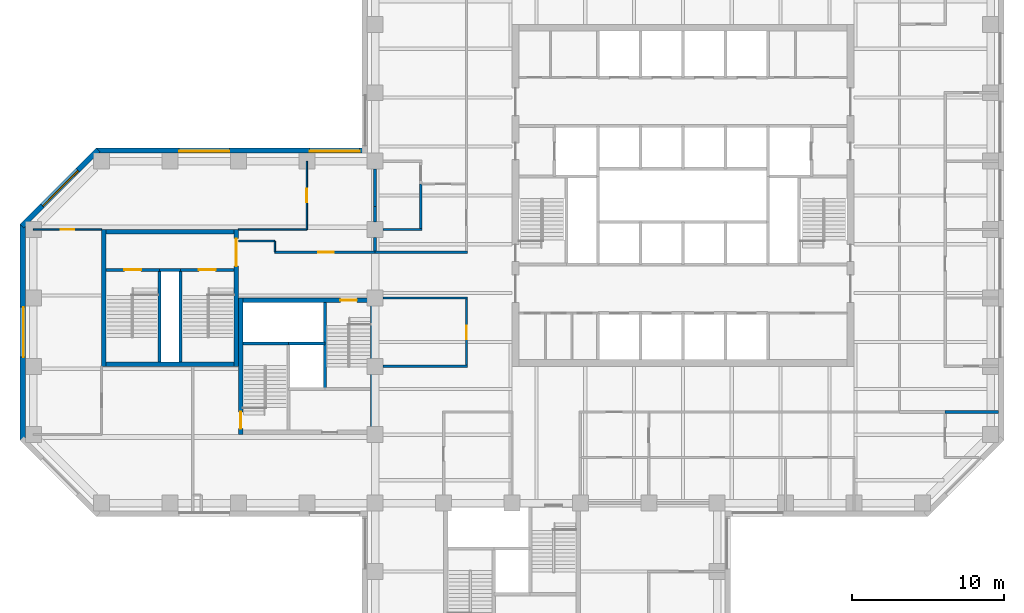
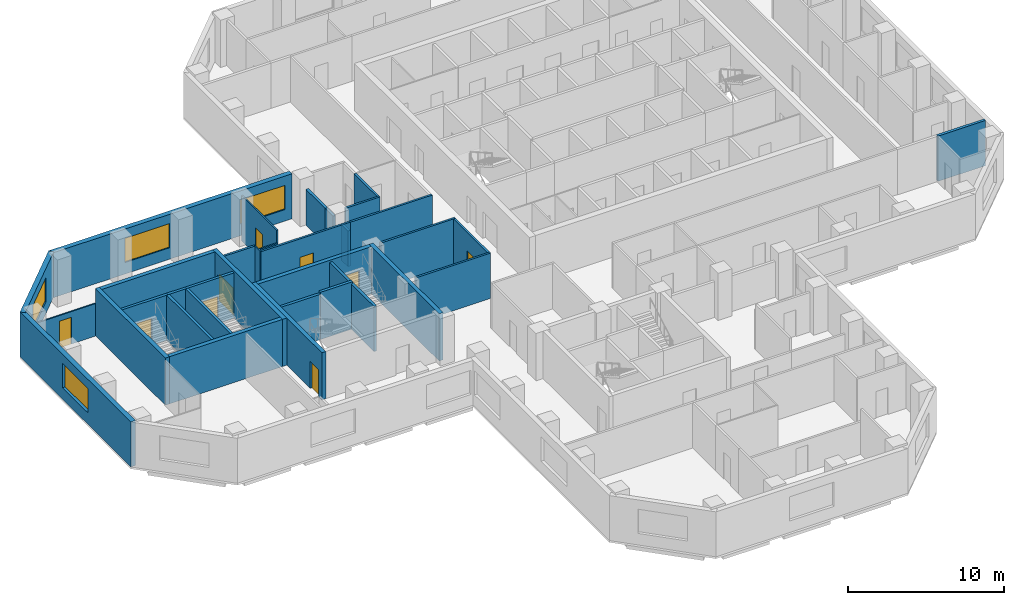
# One storey, part 5 of 11: 34 walls, 9 doors, 4 windows, 13 openings.
"""IFC4 building model written with IfcOpenShell, lengths in metres."""

from ifc_helpers import new_model, si_unit, direction, frame, frame_2d, origin, place, context, subcontext, project, spatial, rectangle, extrude, material, layer, layer_set, constituent, constituent_set, type_object, element, fill, save


model = new_model("IFC4")

# Units and contexts
model_context = context("Model", 3, precision=1e-05, world=origin(), true_north=direction((0.0, 1.0)))
body_context = subcontext(model_context, "Body", "Model", "MODEL_VIEW")
ifc_project = project(units=[si_unit("LENGTHUNIT", "METRE"), si_unit("AREAUNIT", "SQUARE_METRE"), si_unit("VOLUMEUNIT", "CUBIC_METRE"), si_unit("PLANEANGLEUNIT", "RADIAN"), si_unit("MASSUNIT", "GRAM", prefix="KILO")], contexts=[model_context])

# Site, building, storey
site_placement = place(None, origin())
site = spatial("IfcSite", under=ifc_project, at=site_placement, CompositionType="ELEMENT")
building_placement = place(site_placement, origin())
building = spatial("IfcBuilding", under=site, at=building_placement, Name="Quoin Convention Tower", CompositionType="ELEMENT")
storey_placement = place(building_placement, frame((0.0, 0.0, 104.800048828125)))
storey = spatial("IfcBuildingStorey", under=building, at=storey_placement, Name="L27", CompositionType="ELEMENT", Elevation=104.800048828125)

# Walls
ifc_material_1 = material(Name="Plasterboard")
ifc_layer_1 = layer(ifc_material_1, 0.012451171875, Name="Finish")
ifc_material_2 = material(Name="Steel stud framing", Category="steel")
ifc_layer_2 = layer(ifc_material_2, 0.125, Name="Structure")
ifc_layer_3 = layer(ifc_material_1, 0.012451171875, Name="Finish")
ifc_layer_set_1 = layer_set([ifc_layer_1, ifc_layer_2, ifc_layer_3], Name="Steel stud framing")
wall_type_1 = type_object("IfcWallType", Name="Acoustic partition 150", PredefinedType="PARTITIONING", material=ifc_layer_set_1)
wall_1_placement = place(storey_placement, frame((36.52490234375, 58.5, 0.0), z_axis=(0.0, 0.0, 1.0), x_axis=(1.0, 0.0, 0.0)))
element("IfcWall", 1, at=wall_1_placement, inside=storey, type_object=wall_type_1, Name="pw-L27-031", PredefinedType="PARTITIONING", context=body_context, shape_type="SweptSolid", body=[
    extrude(rectangle(XDim=2.550048828125, YDim=0.14990234375, at=frame_2d((1.27490234375, 0.0))), origin(), (0.0, 0.0, 1.0), 3.550048828125),
])
wall_2_placement = place(storey_placement, frame((39.0, 58.574951171875, 0.0), z_axis=(0.0, 0.0, 1.0), x_axis=(0.0, 1.0, 0.0)))
element("IfcWall", 2, at=wall_2_placement, inside=storey, type_object=wall_type_1, Name="pw-L27-077", PredefinedType="PARTITIONING", context=body_context, shape_type="SweptSolid", body=[
    extrude(rectangle(XDim=2.925048828125, YDim=0.14990234375, at=frame_2d((1.46240234375, 0.0))), origin(), (0.0, 0.0, 1.0), 3.550048828125),
])

# Wall, openings, windows
ifc_material_3 = material(Name="Brick masonry", Category="masonry")
ifc_layer_4 = layer(ifc_material_3, 0.35009765625)
ifc_layer_set_2 = layer_set([ifc_layer_4], Name="Brick masonry")
wall_type_2 = type_object("IfcWallType", Name="Brick facade wall", PredefinedType="STANDARD", material=ifc_layer_set_2)
wall_3_placement = place(storey_placement, frame((35.47509765625, 63.699951171875, 0.0), z_axis=(0.0, 0.0, 1.0), x_axis=(-1.0, 0.0, 0.0)))
wall_3 = element("IfcWall", 3, at=wall_3_placement, inside=storey, type_object=wall_type_2, Name="fw-L27-36000_63000", PredefinedType="STANDARD", context=body_context, shape_type="SweptSolid", body=[
    extrude(rectangle(XDim=17.83740234375, YDim=0.35009765625, at=frame_2d((8.918701171875, 0.0))), origin(), (0.0, 0.0, 1.0), 3.52490234375),
])
opening_1_placement = place(wall_3_placement, frame((0.5, 0.0, 0.89990234375)))
opening_1 = element("IfcOpeningElement", 4, at=opening_1_placement, cuts=wall_3, Name="Opening W-02", PredefinedType="OPENING", context=body_context, shape_type="SweptSolid", body=[
    extrude(rectangle(XDim=3.300048828125, YDim=1.89990234375, at=frame_2d((1.64990234375, 0.949951171875))), frame((0.0, 0.18505859375, 0.0), z_axis=(0.0, -1.0, 0.0), x_axis=(1.0, 0.0, 0.0)), (0.0, 0.0, 1.0), 0.3701171875),
])
opening_2_placement = place(wall_3_placement, frame((9.074951171875, 0.0, 0.89990234375)))
opening_2 = element("IfcOpeningElement", 5, at=opening_2_placement, cuts=wall_3, Name="Opening W-02", PredefinedType="OPENING", context=body_context, shape_type="SweptSolid", body=[
    extrude(rectangle(XDim=3.300048828125, YDim=1.89990234375, at=frame_2d((1.64990234375, 0.949951171875))), frame((0.0, 0.18505859375, 0.0), z_axis=(0.0, -1.0, 0.0), x_axis=(1.0, 0.0, 0.0)), (0.0, 0.0, 1.0), 0.3701171875),
])
ifc_material_4 = material(Name="Aluminium", Category="aluminium")
ifc_constituent_1 = constituent(ifc_material_4, Name="Frame")
ifc_material_5 = material(Name="Insulated glass", Category="glass")
ifc_constituent_2 = constituent(ifc_material_5, Name="Glazing")
ifc_constituent_set = constituent_set(constituents=[ifc_constituent_1, ifc_constituent_2], Name="Aluminium")
window_type = type_object("IfcWindowType", Name="Office window", PartitioningType="DOUBLE_PANEL_VERTICAL", PredefinedType="WINDOW", material=ifc_constituent_set)
window_1_placement = place(opening_1_placement, origin())
window_1 = element("IfcWindow", 6, at=window_1_placement, inside=storey, type_object=window_type, Name="win-L27-33750_63700", OverallHeight=1.89990234375, OverallWidth=3.300048828125, PartitioningType="SINGLE_PANEL", PredefinedType="WINDOW", context=body_context, shape_type="SweptSolid", body=[
    extrude(rectangle(XDim=3.300048828125, YDim=1.89990234375, at=frame_2d((1.64990234375, 0.949951171875))), frame((0.0, 0.0849609375, 0.0), z_axis=(0.0, -1.0, 0.0), x_axis=(1.0, 0.0, 0.0)), (0.0, 0.0, 1.0), 0.06005859375),
])
fill(opening_1, window_1)
window_2_placement = place(opening_2_placement, origin())
window_2 = element("IfcWindow", 7, at=window_2_placement, inside=storey, type_object=window_type, Name="win-L27-24750_63700", OverallHeight=1.89990234375, OverallWidth=3.300048828125, PartitioningType="SINGLE_PANEL", PredefinedType="WINDOW", context=body_context, shape_type="SweptSolid", body=[
    extrude(rectangle(XDim=3.300048828125, YDim=1.89990234375, at=frame_2d((1.64990234375, 0.949951171875))), frame((0.0, 0.0849609375, 0.0), z_axis=(0.0, -1.0, 0.0), x_axis=(1.0, 0.0, 0.0)), (0.0, 0.0, 1.0), 0.06005859375),
])
fill(opening_2, window_2)

# Wall, opening, window
wall_4_placement = place(storey_placement, frame((17.76123046875, 63.751220703125, 0.0), z_axis=(0.0, 0.0, 1.0), x_axis=(-0.707106781187, -0.707106781187, 0.0)))
wall_4 = element("IfcWall", 8, at=wall_4_placement, inside=storey, type_object=wall_type_2, Name="fw-L27-18000_63000", PredefinedType="STANDARD", context=body_context, shape_type="SweptSolid", body=[
    extrude(rectangle(XDim=7.088623046875, YDim=0.35009765625, at=frame_2d((3.54443359375, 0.0))), origin(), (0.0, 0.0, 1.0), 3.52490234375),
])
opening_3_placement = place(wall_4_placement, frame((1.894287109375, 0.0, 0.89990234375)))
opening_3 = element("IfcOpeningElement", 9, at=opening_3_placement, cuts=wall_4, Name="Opening W-02", PredefinedType="OPENING", context=body_context, shape_type="SweptSolid", body=[
    extrude(rectangle(XDim=3.300048828125, YDim=1.89990234375, at=frame_2d((1.64990234375, 0.949951171875))), frame((0.0, 0.18505859375, 0.0), z_axis=(0.0, -1.0, 0.0), x_axis=(1.0, 0.0, 0.0)), (0.0, 0.0, 1.0), 0.3701171875),
])
window_3_placement = place(opening_3_placement, origin())
window_3 = element("IfcWindow", 10, at=window_3_placement, inside=storey, type_object=window_type, Name="win-L27-15255_61245", OverallHeight=1.89990234375, OverallWidth=3.300048828125, PartitioningType="SINGLE_PANEL", PredefinedType="WINDOW", context=body_context, shape_type="SweptSolid", body=[
    extrude(rectangle(XDim=3.300048828125, YDim=1.89990234375, at=frame_2d((1.64990234375, 0.949951171875))), frame((0.0, 0.0849609375, 0.0), z_axis=(0.0, -1.0, 0.0), x_axis=(1.0, 0.0, 0.0)), (0.0, 0.0, 1.0), 0.06005859375),
])
fill(opening_3, window_3)

wall_5_placement = place(storey_placement, frame((12.800048828125, 58.8623046875, 0.0), z_axis=(0.0, 0.0, 1.0), x_axis=(0.0, -1.0, 0.0)))
wall_5 = element("IfcWall", 11, at=wall_5_placement, inside=storey, type_object=wall_type_2, Name="fw-L27-13500_58500", PredefinedType="STANDARD", context=body_context, shape_type="SweptSolid", body=[
    extrude(rectangle(XDim=14.224609375, YDim=0.35009765625, at=frame_2d((7.1123046875, 0.0))), origin(), (0.0, 0.0, 1.0), 3.52490234375),
])
opening_4_placement = place(wall_5_placement, frame((5.46240234375, 0.0, 0.89990234375)))
opening_4 = element("IfcOpeningElement", 12, at=opening_4_placement, cuts=wall_5, Name="Opening W-02", PredefinedType="OPENING", context=body_context, shape_type="SweptSolid", body=[
    extrude(rectangle(XDim=3.300048828125, YDim=1.89990234375, at=frame_2d((1.64990234375, 0.949951171875))), frame((0.0, 0.18505859375, 0.0), z_axis=(0.0, -1.0, 0.0), x_axis=(1.0, 0.0, 0.0)), (0.0, 0.0, 1.0), 0.3701171875),
])
window_4_placement = place(opening_4_placement, origin())
window_4 = element("IfcWindow", 13, at=window_4_placement, inside=storey, type_object=window_type, Name="win-L27-12800_51750", OverallHeight=1.89990234375, OverallWidth=3.300048828125, PartitioningType="SINGLE_PANEL", PredefinedType="WINDOW", context=body_context, shape_type="SweptSolid", body=[
    extrude(rectangle(XDim=3.300048828125, YDim=1.89990234375, at=frame_2d((1.64990234375, 0.949951171875))), frame((0.0, 0.0849609375, 0.0), z_axis=(0.0, -1.0, 0.0), x_axis=(1.0, 0.0, 0.0)), (0.0, 0.0, 1.0), 0.06005859375),
])
fill(opening_4, window_4)

# Walls
ifc_material_6 = material(Name="Concrete C50", Category="concrete")
ifc_layer_5 = layer(ifc_material_6, 0.199951171875)
ifc_layer_set_3 = layer_set([ifc_layer_5], Name="Concrete C50")
wall_type_3 = type_object("IfcWallType", Name="Core shaft wall", PredefinedType="SOLIDWALL", material=ifc_layer_set_3)
wall_6_placement = place(storey_placement, frame((27.300048828125, 51.0, 0.0), z_axis=(0.0, 0.0, 1.0), x_axis=(1.0, 0.0, 0.0)))
element("IfcWall", 14, at=wall_6_placement, inside=storey, type_object=wall_type_3, Name="cr-P2-L27-h6000_300", PredefinedType="SOLIDWALL", context=body_context, shape_type="SweptSolid", body=[
    extrude(rectangle(XDim=3.0, YDim=0.199951171875, at=frame_2d((1.5, 0.0))), origin(), (0.0, 0.0, 1.0), 3.550048828125),
])
wall_7_placement = place(storey_placement, frame((32.699951171875, 48.0, 0.0), z_axis=(0.0, 0.0, 1.0), x_axis=(0.0, 1.0, 0.0)))
element("IfcWall", 15, at=wall_7_placement, inside=storey, type_object=wall_type_3, Name="cr-P2-L27-v5700_3000", PredefinedType="SOLIDWALL", context=body_context, shape_type="SweptSolid", body=[
    extrude(rectangle(XDim=5.699951171875, YDim=0.199951171875, at=frame_2d((2.85009765625, 0.0))), origin(), (0.0, 0.0, 1.0), 3.550048828125),
])
wall_8_placement = place(storey_placement, frame((21.800048828125, 55.85009765625, 0.0), z_axis=(0.0, 0.0, 1.0), x_axis=(1.0, 0.0, 0.0)))
element("IfcWall", 16, at=wall_8_placement, inside=storey, type_object=wall_type_3, Name="cr-P6-L27-h6350_3800", PredefinedType="SOLIDWALL", context=body_context, shape_type="SweptSolid", body=[
    extrude(rectangle(XDim=1.39990234375, YDim=0.199951171875, at=frame_2d((0.699951171875, 0.0))), origin(), (0.0, 0.0, 1.0), 3.550048828125),
])

# Wall, opening, door
wall_9_placement = place(storey_placement, frame((18.300048828125, 55.85009765625, 0.0), z_axis=(0.0, 0.0, 1.0), x_axis=(1.0, 0.0, 0.0)))
wall_9 = element("IfcWall", 17, at=wall_9_placement, inside=storey, type_object=wall_type_3, Name="cr-P6-L27-h6350_300", PredefinedType="SOLIDWALL", context=body_context, shape_type="SweptSolid", body=[
    extrude(rectangle(XDim=3.5, YDim=0.199951171875, at=frame_2d((1.75, 0.0))), origin(), (0.0, 0.0, 1.0), 3.550048828125),
])
opening_5_placement = place(wall_9_placement, frame((1.199951171875, 0.0, 0.0)))
opening_5 = element("IfcOpeningElement", 18, at=opening_5_placement, cuts=wall_9, Name="Opening SD11", PredefinedType="OPENING", context=body_context, shape_type="SweptSolid", body=[
    extrude(rectangle(XDim=1.10009765625, YDim=2.10009765625, at=frame_2d((0.550048828125, 1.050048828125))), frame((0.0, 0.10986328125, 0.0), z_axis=(0.0, -1.0, 0.0), x_axis=(1.0, 0.0, 0.0)), (0.0, 0.0, 1.0), 0.219970703125),
])
ifc_material_7 = material(Name="Steel door leaf", Category="steel")
door_type_1 = type_object("IfcDoorType", Name="Stair door 1100 x 2100", OperationType="SINGLE_SWING_RIGHT", PredefinedType="DOOR", material=ifc_material_7)
door_1_placement = place(opening_5_placement, origin())
door_1 = element("IfcDoor", 19, at=door_1_placement, inside=storey, type_object=door_type_1, Name="cd-P6-L27-SA-R2-SD11", OperationType="SINGLE_SWING_RIGHT", OverallHeight=2.10009765625, OverallWidth=1.10009765625, PredefinedType="DOOR", context=body_context, shape_type="SweptSolid", body=[
    extrude(rectangle(XDim=1.10009765625, YDim=2.10009765625, at=frame_2d((0.550048828125, 1.050048828125))), frame((0.0, 0.02490234375, 0.0), z_axis=(0.0, -1.0, 0.0), x_axis=(1.0, 0.0, 0.0)), (0.0, 0.0, 1.0), 0.050048828125),
])
fill(opening_5, door_1)

wall_10_placement = place(storey_placement, frame((23.199951171875, 55.85009765625, 0.0), z_axis=(0.0, 0.0, 1.0), x_axis=(1.0, 0.0, 0.0)))
wall_10 = element("IfcWall", 20, at=wall_10_placement, inside=storey, type_object=wall_type_3, Name="cr-P6-L27-h6350_5200", PredefinedType="SOLIDWALL", context=body_context, shape_type="SweptSolid", body=[
    extrude(rectangle(XDim=3.5, YDim=0.199951171875, at=frame_2d((1.75, 0.0))), origin(), (0.0, 0.0, 1.0), 3.550048828125),
])
opening_6_placement = place(wall_10_placement, frame((1.199951171875, 0.0, 0.0)))
opening_6 = element("IfcOpeningElement", 21, at=opening_6_placement, cuts=wall_10, Name="Opening SD12", PredefinedType="OPENING", context=body_context, shape_type="SweptSolid", body=[
    extrude(rectangle(XDim=1.10009765625, YDim=2.10009765625, at=frame_2d((0.550048828125, 1.050048828125))), frame((0.0, 0.10986328125, 0.0), z_axis=(0.0, -1.0, 0.0), x_axis=(1.0, 0.0, 0.0)), (0.0, 0.0, 1.0), 0.219970703125),
])
door_2_placement = place(opening_6_placement, origin())
door_2 = element("IfcDoor", 22, at=door_2_placement, inside=storey, type_object=door_type_1, Name="cd-P6-L27-SB-R2-SD12", OperationType="SINGLE_SWING_RIGHT", OverallHeight=2.10009765625, OverallWidth=1.10009765625, PredefinedType="DOOR", context=body_context, shape_type="SweptSolid", body=[
    extrude(rectangle(XDim=1.10009765625, YDim=2.10009765625, at=frame_2d((0.550048828125, 1.050048828125))), frame((0.0, 0.02490234375, 0.0), z_axis=(0.0, -1.0, 0.0), x_axis=(1.0, 0.0, 0.0)), (0.0, 0.0, 1.0), 0.050048828125),
])
fill(opening_6, door_2)

# Walls
for number, where, z_axis, x_axis, name in (
    (23, (21.800048828125, 49.800048828125, 0.0), (0.0, 0.0, 1.0), (0.0, 1.0, 0.0), "cr-P6-L27-v3800_300"),
    (24, (23.199951171875, 49.800048828125, 0.0), (0.0, 0.0, 1.0), (0.0, 1.0, 0.0), "cr-P6-L27-v5200_300"),
):
    element("IfcWall", number, at=place(storey_placement, frame(where, z_axis=z_axis, x_axis=x_axis)), inside=storey, type_object=wall_type_3, Name=name, PredefinedType="SOLIDWALL", context=body_context, shape_type="SweptSolid", body=[
        extrude(rectangle(XDim=6.050048828125, YDim=0.199951171875, at=frame_2d((3.02490234375, 0.0))), origin(), (0.0, 0.0, 1.0), 3.550048828125),
    ])
ifc_layer_6 = layer(ifc_material_6, 0.199951171875)
ifc_layer_set_4 = layer_set([ifc_layer_6], Name="Concrete C50")
wall_type_4 = type_object("IfcWallType", Name="Core shaft wall to the floor level over", PredefinedType="SOLIDWALL", material=ifc_layer_set_4)
wall_11_placement = place(storey_placement, frame((30.300048828125, 51.0, 0.0), z_axis=(0.0, 0.0, 1.0), x_axis=(1.0, 0.0, 0.0)))
element("IfcWall", 25, at=wall_11_placement, inside=storey, type_object=wall_type_4, Name="cr-P2-L27-h6000_3300", PredefinedType="SOLIDWALL", context=body_context, shape_type="SweptSolid", body=[
    extrude(rectangle(XDim=2.39990234375, YDim=0.199951171875, at=frame_2d((1.199951171875, 0.0))), origin(), (0.0, 0.0, 1.0), 3.699951171875),
])
ifc_layer_7 = layer(ifc_material_1, 0.012451171875, Name="Finish")
ifc_layer_8 = layer(ifc_material_2, 0.125, Name="Structure")
ifc_layer_9 = layer(ifc_material_1, 0.012451171875, Name="Finish")
ifc_layer_set_5 = layer_set([ifc_layer_7, ifc_layer_8, ifc_layer_9], Name="Steel stud framing")
wall_type_5 = type_object("IfcWallType", Name="Corridor wall 150", PredefinedType="PARTITIONING", material=ifc_layer_set_5)
for number, where, z_axis, x_axis, name in (
    (26, (36.52490234375, 49.5, 0.0), (0.0, 0.0, 1.0), (1.0, 0.0, 0.0), "pw-L27-024"),
    (27, (36.52490234375, 54.0, 0.0), (0.0, 0.0, 1.0), (1.0, 0.0, 0.0), "pw-L27-027"),
):
    element("IfcWall", number, at=place(storey_placement, frame(where, z_axis=z_axis, x_axis=x_axis)), inside=storey, type_object=wall_type_5, Name=name, PredefinedType="PARTITIONING", context=body_context, shape_type="SweptSolid", body=[
        extrude(rectangle(XDim=5.550048828125, YDim=0.14990234375, at=frame_2d((2.77490234375, 0.0))), origin(), (0.0, 0.0, 1.0), 3.550048828125),
    ])

# Wall, opening, door
wall_12_placement = place(storey_placement, frame((29.3798828125, 57.0, 0.0), z_axis=(0.0, 0.0, 1.0), x_axis=(1.0, 0.0, 0.0)))
wall_12 = element("IfcWall", 28, at=wall_12_placement, inside=storey, type_object=wall_type_5, Name="pw-L27-029", PredefinedType="PARTITIONING", context=body_context, shape_type="SweptSolid", body=[
    extrude(rectangle(XDim=6.6201171875, YDim=0.14990234375, at=frame_2d((3.31005859375, 0.0))), origin(), (0.0, 0.0, 1.0), 3.550048828125),
])
opening_7_placement = place(wall_12_placement, frame((2.8798828125, 0.0, 0.0)))
opening_7 = element("IfcOpeningElement", 29, at=opening_7_placement, cuts=wall_12, Name="Opening DOL4-11", PredefinedType="OPENING", context=body_context, shape_type="SweptSolid", body=[
    extrude(rectangle(XDim=1.0, YDim=2.10009765625, at=frame_2d((0.5, 1.050048828125))), frame((0.0, 0.0849609375, 0.0), z_axis=(0.0, -1.0, 0.0), x_axis=(1.0, 0.0, 0.0)), (0.0, 0.0, 1.0), 0.169921875),
])
door_type_2 = type_object("IfcDoorType", Name="Tenancy entrance door 1000 x 2100", OperationType="DOUBLE_DOOR_SINGLE_SWING", PredefinedType="DOOR", material=ifc_material_7)
door_3_placement = place(opening_7_placement, origin())
door_3 = element("IfcDoor", 30, at=door_3_placement, inside=storey, type_object=door_type_2, Name="dr-L27-w01", OperationType="DOUBLE_DOOR_SINGLE_SWING", OverallHeight=2.10009765625, OverallWidth=1.0, PredefinedType="DOOR", context=body_context, shape_type="SweptSolid", body=[
    extrude(rectangle(XDim=1.0, YDim=2.10009765625, at=frame_2d((0.5, 1.050048828125))), frame((0.0, 0.02490234375, 0.0), z_axis=(0.0, -1.0, 0.0), x_axis=(1.0, 0.0, 0.0)), (0.0, 0.0, 1.0), 0.050048828125),
])
fill(opening_7, door_3)

# Wall
wall_13_placement = place(storey_placement, frame((36.0, 57.0, 0.0), z_axis=(0.0, 0.0, 1.0), x_axis=(1.0, 0.0, 0.0)))
element("IfcWall", 31, at=wall_13_placement, inside=storey, type_object=wall_type_5, Name="pw-L27-030", PredefinedType="PARTITIONING", context=body_context, shape_type="SweptSolid", body=[
    extrude(rectangle(XDim=6.074951171875, YDim=0.14990234375, at=frame_2d((3.03759765625, 0.0))), origin(), (0.0, 0.0, 1.0), 3.550048828125),
])

# Wall, opening, door
wall_14_placement = place(storey_placement, frame((42.0, 49.574951171875, 0.0), z_axis=(0.0, 0.0, 1.0), x_axis=(0.0, 1.0, 0.0)))
wall_14 = element("IfcWall", 32, at=wall_14_placement, inside=storey, type_object=wall_type_5, Name="pw-L27-070", PredefinedType="PARTITIONING", context=body_context, shape_type="SweptSolid", body=[
    extrude(rectangle(XDim=4.35009765625, YDim=0.14990234375, at=frame_2d((2.175048828125, 0.0))), origin(), (0.0, 0.0, 1.0), 3.550048828125),
])
opening_8_placement = place(wall_14_placement, frame((1.699951171875, 0.0, 0.0)))
opening_8 = element("IfcOpeningElement", 33, at=opening_8_placement, cuts=wall_14, Name="Opening DOL4-23", PredefinedType="OPENING", context=body_context, shape_type="SweptSolid", body=[
    extrude(rectangle(XDim=0.89990234375, YDim=2.10009765625, at=frame_2d((0.449951171875, 1.050048828125))), frame((0.0, 0.0849609375, 0.0), z_axis=(0.0, -1.0, 0.0), x_axis=(1.0, 0.0, 0.0)), (0.0, 0.0, 1.0), 0.169921875),
])
door_type_3 = type_object("IfcDoorType", Name="Office door 900 x 2100", OperationType="SINGLE_SWING_RIGHT", PredefinedType="DOOR", material=ifc_material_7)
door_4_placement = place(opening_8_placement, origin())
door_4 = element("IfcDoor", 34, at=door_4_placement, inside=storey, type_object=door_type_3, Name="dr-L27-01", OperationType="SINGLE_SWING_RIGHT", OverallHeight=2.10009765625, OverallWidth=0.89990234375, PredefinedType="DOOR", context=body_context, shape_type="SweptSolid", body=[
    extrude(rectangle(XDim=0.89990234375, YDim=2.10009765625, at=frame_2d((0.449951171875, 1.050048828125))), frame((0.0, 0.02490234375, 0.0), z_axis=(0.0, -1.0, 0.0), x_axis=(1.0, 0.0, 0.0)), (0.0, 0.0, 1.0), 0.050048828125),
])
fill(opening_8, door_4)

# Wall
wall_15_placement = place(storey_placement, frame((27.0, 57.75, 0.0), z_axis=(0.0, 0.0, 1.0), x_axis=(1.0, 0.0, 0.0)))
element("IfcWall", 35, at=wall_15_placement, inside=storey, type_object=wall_type_5, Name="pw-L27-w06", PredefinedType="PARTITIONING", context=body_context, shape_type="SweptSolid", body=[
    extrude(rectangle(XDim=2.39990234375, YDim=0.14990234375, at=frame_2d((1.199951171875, 0.0))), origin(), (0.0, 0.0, 1.0), 3.550048828125),
])

# Wall, opening, door
ifc_material_8 = material(Name="Concrete C65", Category="concrete")
ifc_layer_10 = layer(ifc_material_8, 0.300048828125)
ifc_layer_set_6 = layer_set([ifc_layer_10], Name="Concrete C65")
wall_type_6 = type_object("IfcWallType", Name="RC CORE WALL 300 C65", PredefinedType="SHEAR", material=ifc_layer_set_6)
wall_16_placement = place(storey_placement, frame((27.300048828125, 53.85009765625, 0.0), z_axis=(0.0, 0.0, 1.0), x_axis=(1.0, 0.0, 0.0)))
wall_16 = element("IfcWall", 36, at=wall_16_placement, inside=storey, type_object=wall_type_6, Name="cwl-P2-L27-N", PredefinedType="SHEAR", context=body_context, shape_type="SweptSolid", body=[
    extrude(rectangle(XDim=8.39990234375, YDim=0.300048828125, at=frame_2d((4.199951171875, 0.0))), origin(), (0.0, 0.0, 1.0), 3.699951171875),
])
opening_9_placement = place(wall_16_placement, frame((6.39990234375, 0.0, 0.0)))
opening_9 = element("IfcOpeningElement", 37, at=opening_9_placement, cuts=wall_16, Name="Opening SD4", PredefinedType="OPENING", context=body_context, shape_type="SweptSolid", body=[
    extrude(rectangle(XDim=1.10009765625, YDim=2.10009765625, at=frame_2d((0.550048828125, 1.050048828125))), frame((0.0, 0.159912109375, 0.0), z_axis=(0.0, -1.0, 0.0), x_axis=(1.0, 0.0, 0.0)), (0.0, 0.0, 1.0), 0.320068359375),
])
door_5_placement = place(opening_9_placement, frame((1.10009765625, 0.0, 0.0), z_axis=(0.0, 0.0, 1.0), x_axis=(-1.0, 0.0, 0.0)))
door_5 = element("IfcDoor", 38, at=door_5_placement, inside=storey, type_object=door_type_1, Name="cd-P2-L27-SB-N", OperationType="SINGLE_SWING_LEFT", OverallHeight=2.10009765625, OverallWidth=1.10009765625, PredefinedType="DOOR", context=body_context, shape_type="SweptSolid", body=[
    extrude(rectangle(XDim=1.10009765625, YDim=2.10009765625, at=frame_2d((0.550048828125, 1.050048828125))), frame((0.0, 0.02490234375, 0.0), z_axis=(0.0, -1.0, 0.0), x_axis=(1.0, 0.0, 0.0)), (0.0, 0.0, 1.0), 0.050048828125),
])
fill(opening_9, door_5)

wall_17_placement = place(storey_placement, frame((27.14990234375, 45.0, 0.0), z_axis=(0.0, 0.0, 1.0), x_axis=(0.0, 1.0, 0.0)))
wall_17 = element("IfcWall", 39, at=wall_17_placement, inside=storey, type_object=wall_type_6, Name="cwl-P2-L27-W", PredefinedType="SHEAR", context=body_context, shape_type="SweptSolid", body=[
    extrude(rectangle(XDim=9.0, YDim=0.300048828125, at=frame_2d((4.5, 0.0))), origin(), (0.0, 0.0, 1.0), 3.699951171875),
])
opening_10_placement = place(wall_17_placement, frame((0.39990234375, 0.0, 0.0)))
opening_10 = element("IfcOpeningElement", 40, at=opening_10_placement, cuts=wall_17, Name="Opening SD3", PredefinedType="OPENING", context=body_context, shape_type="SweptSolid", body=[
    extrude(rectangle(XDim=1.10009765625, YDim=2.10009765625, at=frame_2d((0.550048828125, 1.050048828125))), frame((0.0, 0.159912109375, 0.0), z_axis=(0.0, -1.0, 0.0), x_axis=(1.0, 0.0, 0.0)), (0.0, 0.0, 1.0), 0.320068359375),
])
door_6_placement = place(opening_10_placement, frame((1.10009765625, 0.0, 0.0), z_axis=(0.0, 0.0, 1.0), x_axis=(-1.0, 0.0, 0.0)))
door_6 = element("IfcDoor", 41, at=door_6_placement, inside=storey, type_object=door_type_1, Name="cd-P2-L27-SA-W", OperationType="SINGLE_SWING_RIGHT", OverallHeight=2.10009765625, OverallWidth=1.10009765625, PredefinedType="DOOR", context=body_context, shape_type="SweptSolid", body=[
    extrude(rectangle(XDim=1.10009765625, YDim=2.10009765625, at=frame_2d((0.550048828125, 1.050048828125))), frame((0.0, 0.02490234375, 0.0), z_axis=(0.0, -1.0, 0.0), x_axis=(1.0, 0.0, 0.0)), (0.0, 0.0, 1.0), 0.050048828125),
])
fill(opening_10, door_6)

# Walls
wall_18_placement = place(storey_placement, frame((35.85009765625, 45.0, 0.0), z_axis=(0.0, 0.0, 1.0), x_axis=(0.0, 1.0, 0.0)))
element("IfcWall", 42, at=wall_18_placement, inside=storey, type_object=wall_type_6, Name="cwl-P2-L27-E", PredefinedType="SHEAR", context=body_context, shape_type="SweptSolid", body=[
    extrude(rectangle(XDim=9.0, YDim=0.300048828125, at=frame_2d((4.5, 0.0))), origin(), (0.0, 0.0, 1.0), 3.699951171875),
])
for number, where, z_axis, x_axis, name in (
    (43, (18.300048828125, 49.64990234375, 0.0), (0.0, 0.0, 1.0), (1.0, 0.0, 0.0), "cwl-P6-L27-S"),
    (44, (18.300048828125, 58.35009765625, 0.0), (0.0, 0.0, 1.0), (1.0, 0.0, 0.0), "cwl-P6-L27-N"),
):
    element("IfcWall", number, at=place(storey_placement, frame(where, z_axis=z_axis, x_axis=x_axis)), inside=storey, type_object=wall_type_6, Name=name, PredefinedType="SHEAR", context=body_context, shape_type="SweptSolid", body=[
        extrude(rectangle(XDim=8.39990234375, YDim=0.300048828125, at=frame_2d((4.199951171875, 0.0))), origin(), (0.0, 0.0, 1.0), 3.699951171875),
    ])
wall_19_placement = place(storey_placement, frame((18.14990234375, 49.5, 0.0), z_axis=(0.0, 0.0, 1.0), x_axis=(0.0, 1.0, 0.0)))
element("IfcWall", 45, at=wall_19_placement, inside=storey, type_object=wall_type_6, Name="cwl-P6-L27-W", PredefinedType="SHEAR", context=body_context, shape_type="SweptSolid", body=[
    extrude(rectangle(XDim=9.0, YDim=0.300048828125, at=frame_2d((4.5, 0.0))), origin(), (0.0, 0.0, 1.0), 3.699951171875),
])

# Wall, opening, door
wall_20_placement = place(storey_placement, frame((26.85009765625, 49.5, 0.0), z_axis=(0.0, 0.0, 1.0), x_axis=(0.0, 1.0, 0.0)))
wall_20 = element("IfcWall", 46, at=wall_20_placement, inside=storey, type_object=wall_type_6, Name="cwl-P6-L27-E", PredefinedType="SHEAR", context=body_context, shape_type="SweptSolid", body=[
    extrude(rectangle(XDim=9.0, YDim=0.300048828125, at=frame_2d((4.5, 0.0))), origin(), (0.0, 0.0, 1.0), 3.699951171875),
])
opening_11_placement = place(wall_20_placement, frame((6.60009765625, 0.0, 0.0)))
opening_11 = element("IfcOpeningElement", 47, at=opening_11_placement, cuts=wall_20, Name="Opening DCV3-44", PredefinedType="OPENING", context=body_context, shape_type="SweptSolid", body=[
    extrude(rectangle(XDim=1.800048828125, YDim=2.10009765625, at=frame_2d((0.89990234375, 1.050048828125))), frame((0.0, 0.159912109375, 0.0), z_axis=(0.0, -1.0, 0.0), x_axis=(1.0, 0.0, 0.0)), (0.0, 0.0, 1.0), 0.320068359375),
])
door_type_4 = type_object("IfcDoorType", Name="Goods lobby door 1800 x 2100", OperationType="SINGLE_SWING_LEFT", PredefinedType="DOOR", material=ifc_material_7)
door_7_placement = place(opening_11_placement, origin())
door_7 = element("IfcDoor", 48, at=door_7_placement, inside=storey, type_object=door_type_4, Name="cd-P6-L27-R2-E", OperationType="SINGLE_SWING_LEFT", OverallHeight=2.10009765625, OverallWidth=1.800048828125, PredefinedType="DOOR", context=body_context, shape_type="SweptSolid", body=[
    extrude(rectangle(XDim=1.800048828125, YDim=2.10009765625, at=frame_2d((0.89990234375, 1.050048828125))), frame((0.0, 0.02490234375, 0.0), z_axis=(0.0, -1.0, 0.0), x_axis=(1.0, 0.0, 0.0)), (0.0, 0.0, 1.0), 0.050048828125),
])
fill(opening_11, door_7)

ifc_layer_11 = layer(ifc_material_1, 0.012451171875, Name="Finish")
ifc_layer_12 = layer(ifc_material_2, 0.074951171875, Name="Structure")
ifc_layer_13 = layer(ifc_material_1, 0.012451171875, Name="Finish")
ifc_layer_set_7 = layer_set([ifc_layer_11, ifc_layer_12, ifc_layer_13], Name="Steel stud framing")
wall_type_7 = type_object("IfcWallType", Name="Stud partition 100", PredefinedType="PARTITIONING", material=ifc_layer_set_7)
wall_21_placement = place(storey_placement, frame((31.5, 63.0, 0.0), z_axis=(0.0, 0.0, 1.0), x_axis=(0.0, -1.0, 0.0)))
wall_21 = element("IfcWall", 49, at=wall_21_placement, inside=storey, type_object=wall_type_7, Name="pw-L27-w01", PredefinedType="PARTITIONING", context=body_context, shape_type="SweptSolid", body=[
    extrude(rectangle(XDim=4.5, YDim=0.10009765625, at=frame_2d((2.25, 0.0))), origin(), (0.0, 0.0, 1.0), 3.550048828125),
])
opening_12_placement = place(wall_21_placement, frame((1.800048828125, 0.0, 0.0)))
opening_12 = element("IfcOpeningElement", 50, at=opening_12_placement, cuts=wall_21, Name="Opening DOL4-31", PredefinedType="OPENING", context=body_context, shape_type="SweptSolid", body=[
    extrude(rectangle(XDim=0.89990234375, YDim=2.10009765625, at=frame_2d((0.449951171875, 1.050048828125))), frame((0.0, 0.06005859375, 0.0), z_axis=(0.0, -1.0, 0.0), x_axis=(1.0, 0.0, 0.0)), (0.0, 0.0, 1.0), 0.1201171875),
])
door_8_placement = place(opening_12_placement, frame((0.89990234375, 0.0, 0.0), z_axis=(0.0, 0.0, 1.0), x_axis=(-1.0, 0.0, 0.0)))
door_8 = element("IfcDoor", 51, at=door_8_placement, inside=storey, type_object=door_type_3, Name="dr-L27-w02", OperationType="SINGLE_SWING_LEFT", OverallHeight=2.10009765625, OverallWidth=0.89990234375, PredefinedType="DOOR", context=body_context, shape_type="SweptSolid", body=[
    extrude(rectangle(XDim=0.89990234375, YDim=2.10009765625, at=frame_2d((0.449951171875, 1.050048828125))), frame((0.0, 0.02490234375, 0.0), z_axis=(0.0, -1.0, 0.0), x_axis=(1.0, 0.0, 0.0)), (0.0, 0.0, 1.0), 0.050048828125),
])
fill(opening_12, door_8)

# Walls
wall_22_placement = place(storey_placement, frame((29.39990234375, 57.715087890625, 0.0), z_axis=(0.0, 0.0, 1.0), x_axis=(0.0, -1.0, 0.0)))
element("IfcWall", 52, at=wall_22_placement, inside=storey, type_object=wall_type_7, Name="pw-L27-w09", PredefinedType="PARTITIONING", context=body_context, shape_type="SweptSolid", body=[
    extrude(rectangle(XDim=0.68017578125, YDim=0.10009765625, at=frame_2d((0.340087890625, 0.0))), origin(), (0.0, 0.0, 1.0), 3.550048828125),
])
ifc_layer_14 = layer(ifc_material_1, 0.012451171875, Name="Finish")
ifc_layer_15 = layer(ifc_material_2, 0.074951171875, Name="Structure")
ifc_layer_16 = layer(ifc_material_1, 0.012451171875, Name="Finish")
ifc_layer_set_8 = layer_set([ifc_layer_14, ifc_layer_15, ifc_layer_16], Name="Steel stud framing")
wall_type_8 = type_object("IfcWallType", Name="Stud partition 100 under beam 1000", PredefinedType="PARTITIONING", material=ifc_layer_set_8)
wall_23_placement = place(storey_placement, frame((31.5, 58.5, 0.0), z_axis=(0.0, 0.0, 1.0), x_axis=(-1.0, 0.0, 0.0)))
element("IfcWall", 53, at=wall_23_placement, inside=storey, type_object=wall_type_8, Name="pw-L27-w02", PredefinedType="PARTITIONING", context=body_context, shape_type="SweptSolid", body=[
    extrude(rectangle(XDim=4.5, YDim=0.10009765625, at=frame_2d((2.25, 0.0))), origin(), (0.0, 0.0, 1.0), 2.550048828125),
])

# Wall, opening, door
wall_24_placement = place(storey_placement, frame((13.5, 58.5, 0.0), z_axis=(0.0, 0.0, 1.0), x_axis=(1.0, 0.0, 0.0)))
wall_24 = element("IfcWall", 54, at=wall_24_placement, inside=storey, type_object=wall_type_8, Name="pw-L27-w03", PredefinedType="PARTITIONING", context=body_context, shape_type="SweptSolid", body=[
    extrude(rectangle(XDim=4.5, YDim=0.10009765625, at=frame_2d((2.25, 0.0))), origin(), (0.0, 0.0, 1.0), 2.550048828125),
])
opening_13_placement = place(wall_24_placement, frame((1.800048828125, 0.0, 0.0)))
opening_13 = element("IfcOpeningElement", 55, at=opening_13_placement, cuts=wall_24, Name="Opening DOL4-32", PredefinedType="OPENING", context=body_context, shape_type="SweptSolid", body=[
    extrude(rectangle(XDim=0.89990234375, YDim=2.10009765625, at=frame_2d((0.449951171875, 1.050048828125))), frame((0.0, 0.06005859375, 0.0), z_axis=(0.0, -1.0, 0.0), x_axis=(1.0, 0.0, 0.0)), (0.0, 0.0, 1.0), 0.1201171875),
])
door_9_placement = place(opening_13_placement, origin())
door_9 = element("IfcDoor", 56, at=door_9_placement, inside=storey, type_object=door_type_3, Name="dr-L27-w03", OperationType="SINGLE_SWING_RIGHT", OverallHeight=2.10009765625, OverallWidth=0.89990234375, PredefinedType="DOOR", context=body_context, shape_type="SweptSolid", body=[
    extrude(rectangle(XDim=0.89990234375, YDim=2.10009765625, at=frame_2d((0.449951171875, 1.050048828125))), frame((0.0, 0.02490234375, 0.0), z_axis=(0.0, -1.0, 0.0), x_axis=(1.0, 0.0, 0.0)), (0.0, 0.0, 1.0), 0.050048828125),
])
fill(opening_13, door_9)

# Walls
ifc_layer_17 = layer(ifc_material_1, 0.012451171875, Name="Finish")
ifc_layer_18 = layer(ifc_material_2, 0.175048828125, Name="Structure")
ifc_layer_19 = layer(ifc_material_1, 0.012451171875, Name="Finish")
ifc_layer_set_9 = layer_set([ifc_layer_17, ifc_layer_18, ifc_layer_19], Name="Steel stud framing")
wall_type_9 = type_object("IfcWallType", Name="Tenancy demising wall 200", PredefinedType="PARTITIONING", material=ifc_layer_set_9)
wall_25_placement = place(storey_placement, frame((73.5, 46.5, 0.0), z_axis=(0.0, 0.0, 1.0), x_axis=(1.0, 0.0, 0.0)))
element("IfcWall", 57, at=wall_25_placement, inside=storey, type_object=wall_type_9, Name="pw-L27-021", PredefinedType="PARTITIONING", context=body_context, shape_type="SweptSolid", body=[
    extrude(rectangle(XDim=3.52490234375, YDim=0.199951171875, at=frame_2d((1.762451171875, 0.0))), origin(), (0.0, 0.0, 1.0), 3.550048828125),
])
ifc_layer_20 = layer(ifc_material_1, 0.012451171875, Name="Finish")
ifc_layer_21 = layer(ifc_material_2, 0.175048828125, Name="Structure")
ifc_layer_22 = layer(ifc_material_1, 0.012451171875, Name="Finish")
ifc_layer_set_10 = layer_set([ifc_layer_20, ifc_layer_21, ifc_layer_22], Name="Steel stud framing")
wall_type_10 = type_object("IfcWallType", Name="Tenancy demising wall 200 under beam 750", PredefinedType="PARTITIONING", material=ifc_layer_set_10)
wall_26_placement = place(storey_placement, frame((36.0, 57.074951171875, 0.0), z_axis=(0.0, 0.0, 1.0), x_axis=(0.0, 1.0, 0.0)))
element("IfcWall", 58, at=wall_26_placement, inside=storey, type_object=wall_type_10, Name="pw-L27-074", PredefinedType="PARTITIONING", context=body_context, shape_type="SweptSolid", body=[
    extrude(rectangle(XDim=0.900146484375, YDim=0.199951171875, at=frame_2d((0.4501953125, 0.0))), origin(), (0.0, 0.0, 1.0), 2.800048828125),
])
wall_27_placement = place(storey_placement, frame((36.0, 58.9951171875, 0.0), z_axis=(0.0, 0.0, 1.0), x_axis=(0.0, 1.0, 0.0)))
element("IfcWall", 59, at=wall_27_placement, inside=storey, type_object=wall_type_10, Name="pw-L27-078", PredefinedType="PARTITIONING", context=body_context, shape_type="SweptSolid", body=[
    extrude(rectangle(XDim=1.0048828125, YDim=0.199951171875, at=frame_2d((0.50244140625, 0.0))), origin(), (0.0, 0.0, 1.0), 2.800048828125),
])
wall_28_placement = place(storey_placement, frame((36.0, 60.0, 0.0), z_axis=(0.0, 0.0, 1.0), x_axis=(0.0, 1.0, 0.0)))
element("IfcWall", 60, at=wall_28_placement, inside=storey, type_object=wall_type_10, Name="pw-L27-080", PredefinedType="PARTITIONING", context=body_context, shape_type="SweptSolid", body=[
    extrude(rectangle(XDim=2.47509765625, YDim=0.199951171875, at=frame_2d((1.237548828125, 0.0))), origin(), (0.0, 0.0, 1.0), 2.800048828125),
])

save(model, "model.ifc")
